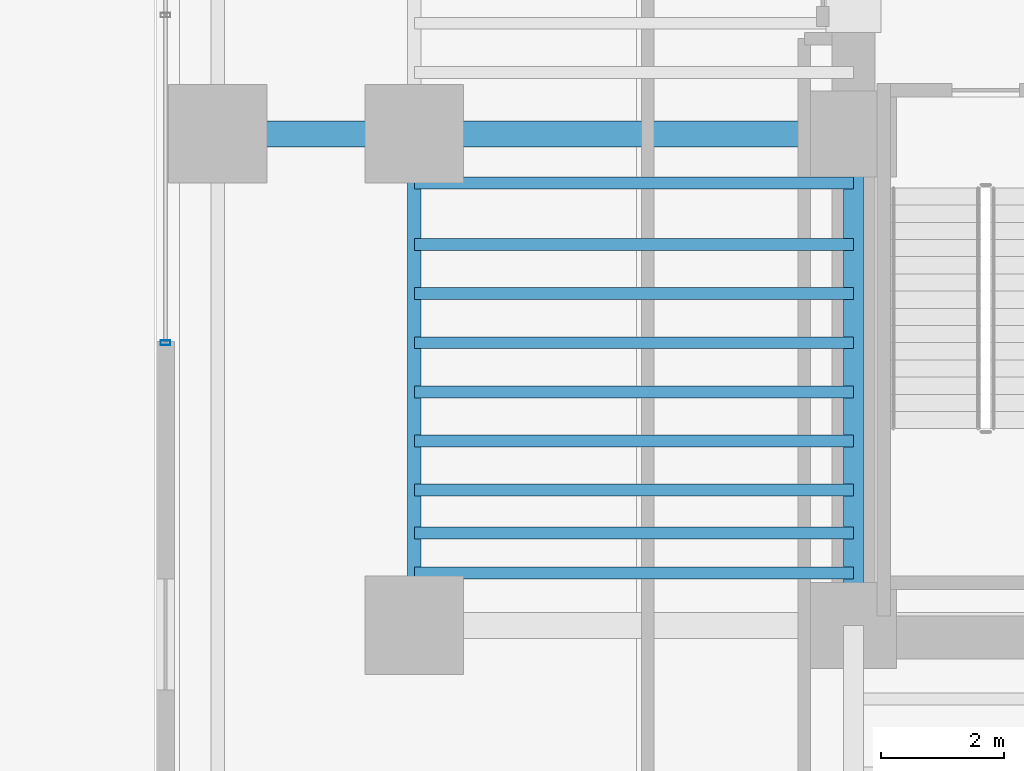
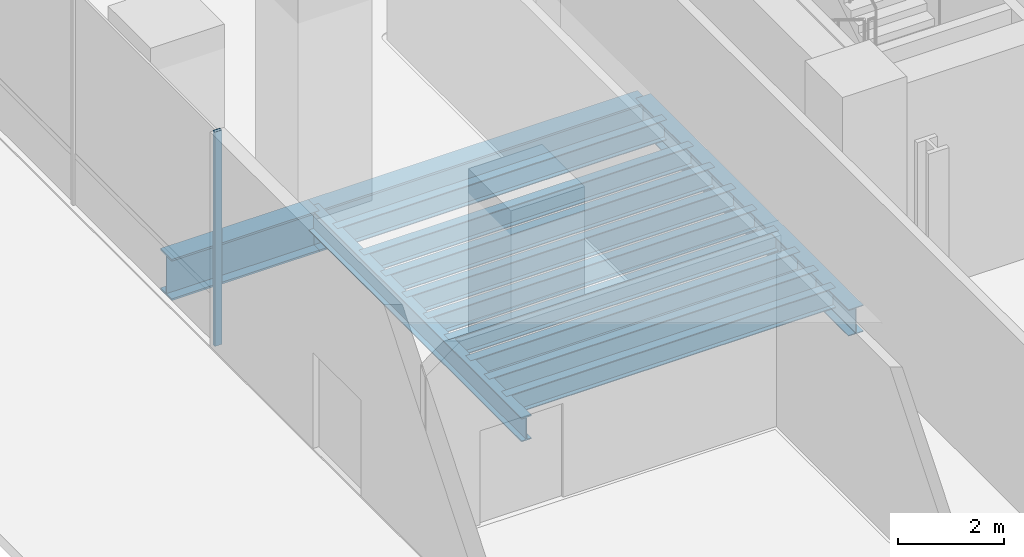
# One storey, part 3 of 27: 13 beams, 1 member, 1 element without a shape of its own.
"""IFC4 building model written with IfcOpenShell, lengths in metres."""

from ifc_helpers import new_model, si_unit, direction, frame, origin, origin_2d, place, context, subcontext, project, spatial, hollow_rectangle, i_section, extrude, source, transform, mapped, material, material_profile, profile_set, type_object, element, aggregate, save


model = new_model("IFC4")

# Units and contexts
model_context = context("Model", 3, precision=1e-05, world=origin(), true_north=direction((0.0, 1.0)))
body_context = subcontext(model_context, "Body", "Model", "MODEL_VIEW")
ifc_project = project(units=[si_unit("LENGTHUNIT", "METRE"), si_unit("AREAUNIT", "SQUARE_METRE"), si_unit("VOLUMEUNIT", "CUBIC_METRE"), si_unit("PLANEANGLEUNIT", "RADIAN"), si_unit("MASSUNIT", "GRAM", prefix="KILO")], contexts=[model_context])

# Site, building, storey
site_placement = place(None, origin())
site = spatial("IfcSite", under=ifc_project, at=site_placement, CompositionType="ELEMENT")
building_placement = place(site_placement, origin())
building = spatial("IfcBuilding", under=site, at=building_placement, Name="Valdorenza Pilgrim Sanctuary Tower", CompositionType="ELEMENT")
storey_placement = place(building_placement, origin())
storey = spatial("IfcBuildingStorey", under=building, at=storey_placement, Name="L00", CompositionType="ELEMENT", Elevation=0.0)

# Beams
ifc_material_1 = material(Name="Steel ASTM A992 Grade 50", Category="steel")
ifc_material_profile_1 = material_profile(ifc_material_1, i_section(OverallWidth=0.423095703125, OverallDepth=0.947998046875, WebThickness=0.02392578125, FlangeThickness=0.042724609375, at=origin_2d()), Name="W36X302")
ifc_profile_set_1 = profile_set([ifc_material_profile_1], Name="Steel ASTM A992 Grade 50")
beam_type_1 = type_object("IfcBeamType", Name="STR-BM-GRD-W36A", PredefinedType="BEAM", material=ifc_profile_set_1)
shared_shape_1 = source(origin(), body_context, "Body", "SweptSolid", [
    extrude(i_section(OverallWidth=0.423095703125, OverallDepth=0.947998046875, WebThickness=0.02392578125, FlangeThickness=0.042724609375, at=origin_2d()), origin(), (0.0, 0.0, 1.0), 7.150146484375),
])
beam_1_placement = place(storey_placement, frame((-29.800048828125, -2.60009765625, -0.75390625), z_axis=(1.0, 0.0, 0.0), x_axis=(0.0, 1.0, 0.0)))
element("IfcBeam", 1, at=beam_1_placement, inside=storey, type_object=beam_type_1, Name="L00 Floor Girder WA-XW-M0", PredefinedType="BEAM", context=body_context, shape_type="MappedRepresentation", body=[
    mapped(shared_shape_1, transform((0.0, 0.0, 0.0), x_axis=(1.0, 0.0, 0.0), y_axis=(0.0, 1.0, 0.0), z_axis=(0.0, 0.0, 1.0), scale=1.0)),
])
ifc_material_profile_2 = material_profile(ifc_material_1, i_section(OverallWidth=0.214111328125, OverallDepth=0.549072265625, WebThickness=0.0146484375, FlangeThickness=0.023681640625, at=origin_2d()), Name="W21X93")
ifc_profile_set_2 = profile_set([ifc_material_profile_2], Name="Steel ASTM A992 Grade 50")
beam_type_2 = type_object("IfcBeamType", Name="STR-BM-SPN-W21A", PredefinedType="SPANDREL", material=ifc_profile_set_2)
shared_shape_2 = source(origin(), body_context, "Body", "SweptSolid", [
    extrude(i_section(OverallWidth=0.214111328125, OverallDepth=0.549072265625, WebThickness=0.0146484375, FlangeThickness=0.023681640625, at=origin_2d()), origin(), (0.0, 0.0, 1.0), 8.0),
])
beam_2_placement = place(storey_placement, frame((-29.800048828125, -10.60009765625, -0.554443359375), z_axis=(0.0, 1.0, 0.0), x_axis=(-1.0, 0.0, 0.0)))
element("IfcBeam", 2, at=beam_2_placement, inside=storey, type_object=beam_type_2, Name="L00 Spandrel Beam WA-W-S1M0", PredefinedType="SPANDREL", context=body_context, shape_type="MappedRepresentation", body=[
    mapped(shared_shape_2, transform((0.0, 0.0, 0.0), x_axis=(1.0, 0.0, 0.0), y_axis=(0.0, 1.0, 0.0), z_axis=(0.0, 0.0, 1.0), scale=1.0)),
])
ifc_material_profile_3 = material_profile(ifc_material_1, i_section(OverallWidth=0.323974609375, OverallDepth=0.611083984375, WebThickness=0.0126953125, FlangeThickness=0.01904296875, at=origin_2d()), Name="W24X104")
ifc_profile_set_3 = profile_set([ifc_material_profile_3], Name="Steel ASTM A992 Grade 50")
beam_type_3 = type_object("IfcBeamType", Name="STR-BM-GRD-W24B", PredefinedType="BEAM", material=ifc_profile_set_3)
shared_shape_3 = source(origin(), body_context, "Body", "SweptSolid", [
    extrude(i_section(OverallWidth=0.323974609375, OverallDepth=0.611083984375, WebThickness=0.0126953125, FlangeThickness=0.01904296875, at=origin_2d()), origin(), (0.0, 0.0, 1.0), 8.0),
])
beam_3_placement = place(storey_placement, frame((-22.64990234375, -10.60009765625, -0.58544921875), z_axis=(0.0, 1.0, 0.0), x_axis=(-1.0, 0.0, 0.0)))
element("IfcBeam", 3, at=beam_3_placement, inside=storey, type_object=beam_type_3, Name="L00 Core Tie Girder CA-W-S1M0", PredefinedType="BEAM", context=body_context, shape_type="MappedRepresentation", body=[
    mapped(shared_shape_3, transform((0.0, 0.0, 0.0), x_axis=(1.0, 0.0, 0.0), y_axis=(0.0, 1.0, 0.0), z_axis=(0.0, 0.0, 1.0), scale=1.0)),
])
ifc_material_profile_4 = material_profile(ifc_material_1, i_section(OverallWidth=0.193115234375, OverallDepth=0.466064453125, WebThickness=0.011474609375, FlangeThickness=0.01904296875, at=origin_2d()), Name="W18X65")
ifc_profile_set_4 = profile_set([ifc_material_profile_4], Name="Steel ASTM A992 Grade 50")
beam_type_4 = type_object("IfcBeamType", Name="STR-BM-JST-W18A", PredefinedType="JOIST", material=ifc_profile_set_4)
shared_shape_4 = source(origin(), body_context, "Body", "SweptSolid", [
    extrude(i_section(OverallWidth=0.193115234375, OverallDepth=0.466064453125, WebThickness=0.011474609375, FlangeThickness=0.01904296875, at=origin_2d()), origin(), (0.0, 0.0, 1.0), 7.150146484375),
])
for number, where, z_axis, x_axis, name in (
    (4, (-29.800048828125, -9.75, -0.512939453125), (1.0, 0.0, 0.0), (0.0, 1.0, 0.0), "L00 Composite Floor Joist JST-WA-1"),
    (5, (-29.800048828125, -9.10009765625, -0.512939453125), (1.0, 0.0, 0.0), (0.0, 1.0, 0.0), "L00 Composite Floor Joist JST-WA-2"),
    (6, (-29.800048828125, -8.39990234375, -0.512939453125), (1.0, 0.0, 0.0), (0.0, 1.0, 0.0), "L00 Composite Floor Joist JST-WA-3"),
    (7, (-29.800048828125, -7.60009765625, -0.512939453125), (1.0, 0.0, 0.0), (0.0, 1.0, 0.0), "L00 Composite Floor Joist JST-WA-4"),
    (8, (-29.800048828125, -6.800048828125, -0.512939453125), (1.0, 0.0, 0.0), (0.0, 1.0, 0.0), "L00 Composite Floor Joist JST-WA-5"),
    (9, (-29.800048828125, -6.0, -0.512939453125), (1.0, 0.0, 0.0), (0.0, 1.0, 0.0), "L00 Composite Floor Joist JST-WA-6"),
    (10, (-29.800048828125, -5.199951171875, -0.512939453125), (1.0, 0.0, 0.0), (0.0, 1.0, 0.0), "L00 Composite Floor Joist JST-WA-7"),
    (11, (-29.800048828125, -4.39990234375, -0.512939453125), (1.0, 0.0, 0.0), (0.0, 1.0, 0.0), "L00 Composite Floor Joist JST-WA-8"),
    (12, (-29.800048828125, -3.39990234375, -0.512939453125), (1.0, 0.0, 0.0), (0.0, 1.0, 0.0), "L00 Composite Floor Joist JST-WA-9"),
):
    element("IfcBeam", number, at=place(storey_placement, frame(where, z_axis=z_axis, x_axis=x_axis)), inside=storey, type_object=beam_type_4, Name=name, PredefinedType="JOIST", context=body_context, shape_type="MappedRepresentation", body=[
        mapped(shared_shape_4, transform((0.0, 0.0, 0.0), x_axis=(1.0, 0.0, 0.0), y_axis=(0.0, 1.0, 0.0), z_axis=(0.0, 0.0, 1.0), scale=1.0)),
    ])
shared_shape_5 = source(origin(), body_context, "Body", "SweptSolid", [
    extrude(i_section(OverallWidth=0.423095703125, OverallDepth=0.947998046875, WebThickness=0.02392578125, FlangeThickness=0.042724609375, at=origin_2d()), origin(), (0.0, 0.0, 1.0), 3.199951171875),
])
beam_4_placement = place(storey_placement, frame((-33.0, -2.60009765625, -0.75390625), z_axis=(1.0, 0.0, 0.0), x_axis=(0.0, 1.0, 0.0)))
element("IfcBeam", 13, at=beam_4_placement, inside=storey, type_object=beam_type_1, Name="L00 Floor Girder POD-W-M0", PredefinedType="BEAM", context=body_context, shape_type="MappedRepresentation", body=[
    mapped(shared_shape_5, transform((0.0, 0.0, 0.0), x_axis=(1.0, 0.0, 0.0), y_axis=(0.0, 1.0, 0.0), z_axis=(0.0, 0.0, 1.0), scale=1.0)),
])

# Curtain wall, member
ifc_material_2 = material(Name="Curtain-wall IGU glazing", Category="glass")
curtain_wall_type = type_object("IfcCurtainWallType", Name="CW-SYS-01", PredefinedType="NOTDEFINED", material=ifc_material_2)
curtain_wall_placement = place(storey_placement, origin())
curtain_wall = element("IfcCurtainWall", 14, at=curtain_wall_placement, inside=storey, type_object=curtain_wall_type, Name="L00 Curtain Wall CW-POD-L00-WW", PredefinedType="NOTDEFINED")
ifc_material_3 = material(Name="Anodised aluminium AW-6060", Category="aluminium")
ifc_material_profile_5 = material_profile(ifc_material_3, hollow_rectangle(XDim=0.074951171875, YDim=0.159912109375, WallThickness=0.00390625, at=origin_2d()), Name="ALU-M 160x75x4")
ifc_profile_set_5 = profile_set([ifc_material_profile_5], Name="Anodised aluminium AW-6060")
member_type = type_object("IfcMemberType", Name="CW-MUL-01", PredefinedType="MULLION", material=ifc_profile_set_5)
shared_shape_6 = source(origin(), body_context, "Body", "SweptSolid", [
    extrude(hollow_rectangle(XDim=0.074951171875, YDim=0.159912109375, WallThickness=0.00390625, at=origin_2d()), origin(), (0.0, 0.0, 1.0), 4.919921875),
])
member_placement = place(storey_placement, frame((-33.85009765625, -6.0, 0.0), z_axis=(0.0, 0.0, 1.0), x_axis=(0.0, 1.0, 0.0)))
member = element("IfcMember", 15, at=member_placement, type_object=member_type, Name="CW-POD-L00-WW Mullion 1", PredefinedType="MULLION", context=body_context, shape_type="MappedRepresentation", body=[
    mapped(shared_shape_6, transform((0.0, 0.0, 0.0), x_axis=(1.0, 0.0, 0.0), y_axis=(0.0, 1.0, 0.0), z_axis=(0.0, 0.0, 1.0), scale=1.0)),
])
aggregate(curtain_wall, [member])

save(model, "model.ifc")
